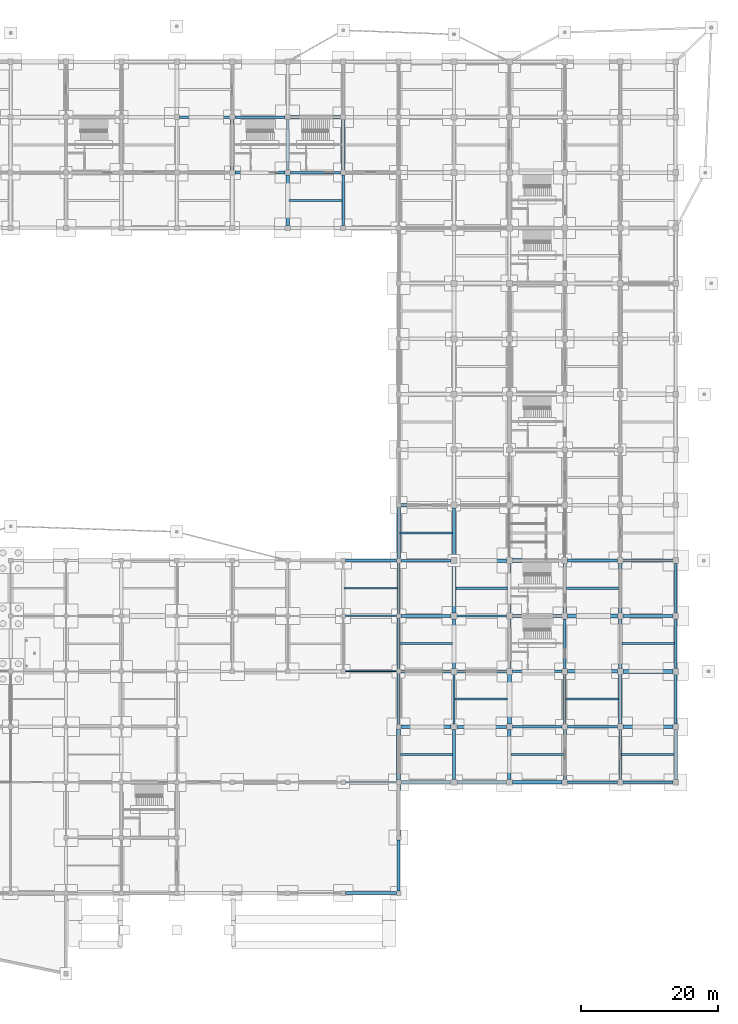
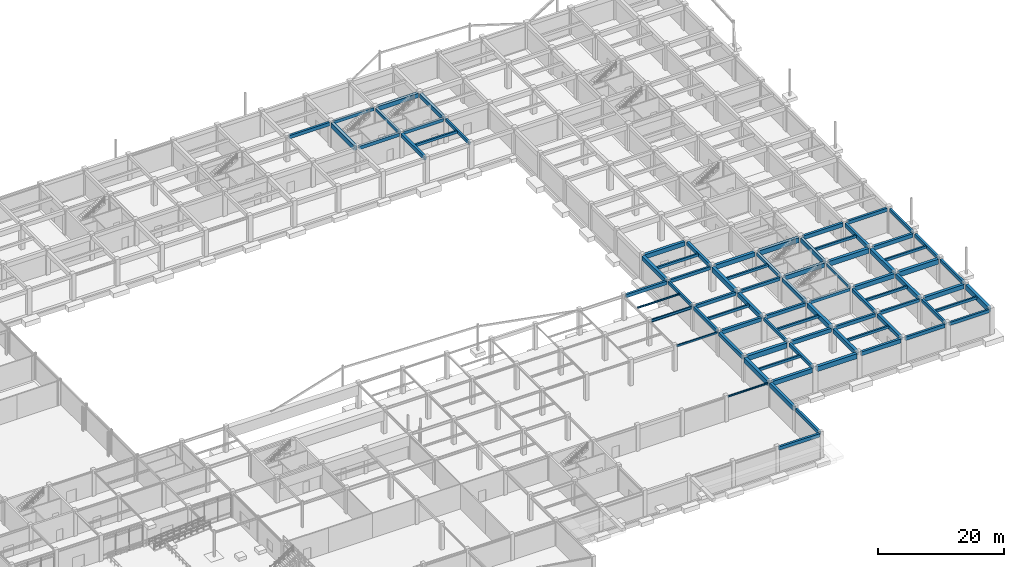
# One storey, part 40 of 67: 81 beams.
"""IFC4 building model written with IfcOpenShell, lengths in metres."""

from ifc_helpers import new_model, si_unit, direction, frame, origin, origin_2d, place, context, subcontext, project, spatial, rectangle, hollow_rectangle, i_section, extrude, material, material_profile, profile_set, type_object, element, save


model = new_model("IFC4")

# Units and contexts
model_context = context("Model", 3, precision=1e-05, world=origin(), true_north=direction((0.0, 1.0)))
body_context = subcontext(model_context, "Body", "Model", "MODEL_VIEW")
ifc_project = project(units=[si_unit("LENGTHUNIT", "METRE"), si_unit("AREAUNIT", "SQUARE_METRE"), si_unit("VOLUMEUNIT", "CUBIC_METRE"), si_unit("PLANEANGLEUNIT", "RADIAN"), si_unit("MASSUNIT", "GRAM", prefix="KILO")], contexts=[model_context])

# Site, building, storey
site_placement = place(None, origin())
site = spatial("IfcSite", under=ifc_project, at=site_placement, CompositionType="ELEMENT")
building_placement = place(site_placement, origin())
building = spatial("IfcBuilding", under=site, at=building_placement, Name="Vaudrelin Polytechnic", CompositionType="ELEMENT")
storey_placement = place(building_placement, frame((0.0, 0.0, -5.10009765625)))
storey = spatial("IfcBuildingStorey", under=building, at=storey_placement, Name="B1", CompositionType="ELEMENT", Elevation=-5.10009765625)

# Beams
ifc_material_1 = material(Name="Concrete 40 MPa", Category="concrete")
ifc_material_profile_1 = material_profile(ifc_material_1, rectangle(XDim=0.35009765625, YDim=0.60009765625, at=origin_2d()), Name="RC350x600")
ifc_profile_set_1 = profile_set([ifc_material_profile_1], Name="Concrete 40 MPa")
beam_type_1 = type_object("IfcBeamType", Name="BM-BM-RC3560", PredefinedType="BEAM", material=ifc_profile_set_1)
beam_1_placement = place(storey_placement, frame((121.5, 97.56005859375, 4.47998046875), z_axis=(0.0, 1.0, 0.0), x_axis=(-1.0, 0.0, 0.0)))
element("IfcBeam", 1, at=beam_1_placement, inside=storey, type_object=beam_type_1, Name="B1 Y-beam 16-13", PredefinedType="BEAM", context=body_context, shape_type="SweptSolid", body=[
    extrude(rectangle(XDim=0.35009765625, YDim=0.60009765625, at=origin_2d()), origin(), (0.0, 0.0, 1.0), 7.3798828125),
])
beam_2_placement = place(storey_placement, frame((129.60009765625, 40.81005859375, 4.47998046875), z_axis=(0.0, 1.0, 0.0), x_axis=(-1.0, 0.0, 0.0)))
element("IfcBeam", 2, at=beam_2_placement, inside=storey, type_object=beam_type_1, Name="B1 Y-beam 17-6", PredefinedType="BEAM", context=body_context, shape_type="SweptSolid", body=[
    extrude(rectangle(XDim=0.35009765625, YDim=0.60009765625, at=origin_2d()), origin(), (0.0, 0.0, 1.0), 7.47998046875),
])
for number, where, z_axis, x_axis, name in (
    (3, (137.699951171875, 24.7099609375, 4.47998046875), (0.0, 1.0, 0.0), (-1.0, 0.0, 0.0), "B1 Y-beam 18-4"),
    (4, (153.89990234375, 32.81005859375, 4.47998046875), (0.0, 1.0, 0.0), (-1.0, 0.0, 0.0), "B1 Y-beam 20-5"),
):
    element("IfcBeam", number, at=place(storey_placement, frame(where, z_axis=z_axis, x_axis=x_axis)), inside=storey, type_object=beam_type_1, Name=name, PredefinedType="BEAM", context=body_context, shape_type="SweptSolid", body=[
        extrude(rectangle(XDim=0.35009765625, YDim=0.60009765625, at=origin_2d()), origin(), (0.0, 0.0, 1.0), 7.280029296875),
    ])
beam_3_placement = place(storey_placement, frame((162.0, 16.610107421875, 4.47998046875), z_axis=(0.0, 1.0, 0.0), x_axis=(-1.0, 0.0, 0.0)))
element("IfcBeam", 5, at=beam_3_placement, inside=storey, type_object=beam_type_1, Name="B1 Y-beam 21-3", PredefinedType="BEAM", context=body_context, shape_type="SweptSolid", body=[
    extrude(rectangle(XDim=0.35009765625, YDim=0.60009765625, at=origin_2d()), origin(), (0.0, 0.0, 1.0), 7.27978515625),
])
beam_4_placement = place(storey_placement, frame((170.10009765625, 40.909912109375, 4.47998046875), z_axis=(0.0, 1.0, 0.0), x_axis=(-1.0, 0.0, 0.0)))
element("IfcBeam", 6, at=beam_4_placement, inside=storey, type_object=beam_type_1, Name="B1 Y-beam 22-6", PredefinedType="BEAM", context=body_context, shape_type="SweptSolid", body=[
    extrude(rectangle(XDim=0.35009765625, YDim=0.60009765625, at=origin_2d()), origin(), (0.0, 0.0, 1.0), 7.280029296875),
])
beam_5_placement = place(storey_placement, frame((105.6708984375, 113.39990234375, 4.47998046875), z_axis=(1.0, 0.0, 0.0), x_axis=(0.0, 1.0, 0.0)))
element("IfcBeam", 7, at=beam_5_placement, inside=storey, type_object=beam_type_1, Name="B1 X-beam 14-15", PredefinedType="BEAM", context=body_context, shape_type="SweptSolid", body=[
    extrude(rectangle(XDim=0.35009765625, YDim=0.60009765625, at=origin_2d()), origin(), (0.0, 0.0, 1.0), 7.358154296875),
])
beam_6_placement = place(storey_placement, frame((113.77099609375, 105.300048828125, 4.47998046875), z_axis=(1.0, 0.0, 0.0), x_axis=(0.0, 1.0, 0.0)))
element("IfcBeam", 8, at=beam_6_placement, inside=storey, type_object=beam_type_1, Name="B1 X-beam 15-14", PredefinedType="BEAM", context=body_context, shape_type="SweptSolid", body=[
    extrude(rectangle(XDim=0.35009765625, YDim=0.60009765625, at=origin_2d()), origin(), (0.0, 0.0, 1.0), 7.35791015625),
])
beam_7_placement = place(storey_placement, frame((129.9208984375, 48.60009765625, 4.47998046875), z_axis=(1.0, 0.0, 0.0), x_axis=(0.0, 1.0, 0.0)))
element("IfcBeam", 9, at=beam_7_placement, inside=storey, type_object=beam_type_1, Name="B1 X-beam 17-7", PredefinedType="BEAM", context=body_context, shape_type="SweptSolid", body=[
    extrude(rectangle(XDim=0.35009765625, YDim=0.60009765625, at=origin_2d()), origin(), (0.0, 0.0, 1.0), 7.358154296875),
])
beam_8_placement = place(storey_placement, frame((138.12109375, 40.5, 4.47998046875), z_axis=(1.0, 0.0, 0.0), x_axis=(0.0, 1.0, 0.0)))
element("IfcBeam", 10, at=beam_8_placement, inside=storey, type_object=beam_type_1, Name="B1 X-beam 18-6", PredefinedType="BEAM", context=body_context, shape_type="SweptSolid", body=[
    extrude(rectangle(XDim=0.35009765625, YDim=0.60009765625, at=origin_2d()), origin(), (0.0, 0.0, 1.0), 7.2578125),
])
for number, where, z_axis, x_axis, name in (
    (11, (146.220947265625, 32.39990234375, 4.47998046875), (1.0, 0.0, 0.0), (0.0, 1.0, 0.0), "B1 X-beam 19-5"),
    (12, (154.321044921875, 24.300048828125, 4.47998046875), (1.0, 0.0, 0.0), (0.0, 1.0, 0.0), "B1 X-beam 20-4"),
    (13, (162.4208984375, 16.199951171875, 4.47998046875), (1.0, 0.0, 0.0), (0.0, 1.0, 0.0), "B1 X-beam 21-3"),
):
    element("IfcBeam", number, at=place(storey_placement, frame(where, z_axis=z_axis, x_axis=x_axis)), inside=storey, type_object=beam_type_1, Name=name, PredefinedType="BEAM", context=body_context, shape_type="SweptSolid", body=[
        extrude(rectangle(XDim=0.35009765625, YDim=0.60009765625, at=origin_2d()), origin(), (0.0, 0.0, 1.0), 7.258056640625),
    ])
ifc_material_profile_2 = material_profile(ifc_material_1, rectangle(XDim=0.39990234375, YDim=0.64990234375, at=origin_2d()), Name="RC400x650")
ifc_profile_set_2 = profile_set([ifc_material_profile_2], Name="Concrete 40 MPa")
beam_type_2 = type_object("IfcBeamType", Name="BM-BM-RC4065", PredefinedType="BEAM", material=ifc_profile_set_2)
beam_9_placement = place(storey_placement, frame((113.39990234375, 105.659912109375, 4.455078125), z_axis=(0.0, 1.0, 0.0), x_axis=(-1.0, 0.0, 0.0)))
element("IfcBeam", 14, at=beam_9_placement, inside=storey, type_object=beam_type_2, Name="B1 Y-beam 15-14", PredefinedType="BEAM", context=body_context, shape_type="SweptSolid", body=[
    extrude(rectangle(XDim=0.39990234375, YDim=0.64990234375, at=origin_2d()), origin(), (0.0, 0.0, 1.0), 7.380126953125),
])
beam_10_placement = place(storey_placement, frame((129.60009765625, 32.7099609375, 4.455078125), z_axis=(0.0, 1.0, 0.0), x_axis=(-1.0, 0.0, 0.0)))
element("IfcBeam", 15, at=beam_10_placement, inside=storey, type_object=beam_type_2, Name="B1 Y-beam 17-5", PredefinedType="BEAM", context=body_context, shape_type="SweptSolid", body=[
    extrude(rectangle(XDim=0.39990234375, YDim=0.64990234375, at=origin_2d()), origin(), (0.0, 0.0, 1.0), 7.47998046875),
])
beam_11_placement = place(storey_placement, frame((137.699951171875, 16.610107421875, 4.455078125), z_axis=(0.0, 1.0, 0.0), x_axis=(-1.0, 0.0, 0.0)))
element("IfcBeam", 16, at=beam_11_placement, inside=storey, type_object=beam_type_2, Name="B1 Y-beam 18-3", PredefinedType="BEAM", context=body_context, shape_type="SweptSolid", body=[
    extrude(rectangle(XDim=0.39990234375, YDim=0.64990234375, at=origin_2d()), origin(), (0.0, 0.0, 1.0), 7.27978515625),
])
for number, where, z_axis, x_axis, name in (
    (17, (145.800048828125, 40.909912109375, 4.455078125), (0.0, 1.0, 0.0), (-1.0, 0.0, 0.0), "B1 Y-beam 19-6"),
    (18, (153.89990234375, 24.7099609375, 4.455078125), (0.0, 1.0, 0.0), (-1.0, 0.0, 0.0), "B1 Y-beam 20-4"),
    (19, (170.10009765625, 32.81005859375, 4.455078125), (0.0, 1.0, 0.0), (-1.0, 0.0, 0.0), "B1 Y-beam 22-5"),
):
    element("IfcBeam", number, at=place(storey_placement, frame(where, z_axis=z_axis, x_axis=x_axis)), inside=storey, type_object=beam_type_2, Name=name, PredefinedType="BEAM", context=body_context, shape_type="SweptSolid", body=[
        extrude(rectangle(XDim=0.39990234375, YDim=0.64990234375, at=origin_2d()), origin(), (0.0, 0.0, 1.0), 7.280029296875),
    ])
beam_12_placement = place(storey_placement, frame((97.571044921875, 113.39990234375, 4.455078125), z_axis=(1.0, 0.0, 0.0), x_axis=(0.0, 1.0, 0.0)))
element("IfcBeam", 20, at=beam_12_placement, inside=storey, type_object=beam_type_2, Name="B1 X-beam 13-15", PredefinedType="BEAM", context=body_context, shape_type="SweptSolid", body=[
    extrude(rectangle(XDim=0.39990234375, YDim=0.64990234375, at=origin_2d()), origin(), (0.0, 0.0, 1.0), 7.35791015625),
])
for number, where, z_axis, x_axis, name in (
    (21, (105.6708984375, 105.300048828125, 4.455078125), (1.0, 0.0, 0.0), (0.0, 1.0, 0.0), "B1 X-beam 14-14"),
    (22, (129.9208984375, 40.5, 4.455078125), (1.0, 0.0, 0.0), (0.0, 1.0, 0.0), "B1 X-beam 17-6"),
):
    element("IfcBeam", number, at=place(storey_placement, frame(where, z_axis=z_axis, x_axis=x_axis)), inside=storey, type_object=beam_type_2, Name=name, PredefinedType="BEAM", context=body_context, shape_type="SweptSolid", body=[
        extrude(rectangle(XDim=0.39990234375, YDim=0.64990234375, at=origin_2d()), origin(), (0.0, 0.0, 1.0), 7.358154296875),
    ])
beam_13_placement = place(storey_placement, frame((138.12109375, 32.39990234375, 4.455078125), z_axis=(1.0, 0.0, 0.0), x_axis=(0.0, 1.0, 0.0)))
element("IfcBeam", 23, at=beam_13_placement, inside=storey, type_object=beam_type_2, Name="B1 X-beam 18-5", PredefinedType="BEAM", context=body_context, shape_type="SweptSolid", body=[
    extrude(rectangle(XDim=0.39990234375, YDim=0.64990234375, at=origin_2d()), origin(), (0.0, 0.0, 1.0), 7.2578125),
])
for number, where, z_axis, x_axis, name in (
    (24, (146.220947265625, 24.300048828125, 4.455078125), (1.0, 0.0, 0.0), (0.0, 1.0, 0.0), "B1 X-beam 19-4"),
    (25, (162.4208984375, 48.60009765625, 4.455078125), (1.0, 0.0, 0.0), (0.0, 1.0, 0.0), "B1 X-beam 21-7"),
):
    element("IfcBeam", number, at=place(storey_placement, frame(where, z_axis=z_axis, x_axis=x_axis)), inside=storey, type_object=beam_type_2, Name=name, PredefinedType="BEAM", context=body_context, shape_type="SweptSolid", body=[
        extrude(rectangle(XDim=0.39990234375, YDim=0.64990234375, at=origin_2d()), origin(), (0.0, 0.0, 1.0), 7.258056640625),
    ])
ifc_material_profile_3 = material_profile(ifc_material_1, rectangle(XDim=0.449951171875, YDim=0.75, at=origin_2d()), Name="RC450x750")
ifc_profile_set_3 = profile_set([ifc_material_profile_3], Name="Concrete 40 MPa")
beam_type_3 = type_object("IfcBeamType", Name="BM-BM-RC4575", PredefinedType="BEAM", material=ifc_profile_set_3)
beam_14_placement = place(storey_placement, frame((113.39990234375, 97.56005859375, 4.405029296875), z_axis=(0.0, 1.0, 0.0), x_axis=(-1.0, 0.0, 0.0)))
element("IfcBeam", 26, at=beam_14_placement, inside=storey, type_object=beam_type_3, Name="B1 Y-beam 15-13", PredefinedType="BEAM", context=body_context, shape_type="SweptSolid", body=[
    extrude(rectangle(XDim=0.449951171875, YDim=0.75, at=origin_2d()), origin(), (0.0, 0.0, 1.0), 7.3798828125),
])
beam_15_placement = place(storey_placement, frame((129.60009765625, 24.610107421875, 4.364990234375), z_axis=(0.0, 1.0, 0.0), x_axis=(-1.0, 0.0, 0.0)))
element("IfcBeam", 27, at=beam_15_placement, inside=storey, type_object=beam_type_3, Name="B1 Y-beam 17-4", PredefinedType="BEAM", context=body_context, shape_type="SweptSolid", body=[
    extrude(rectangle(XDim=0.449951171875, YDim=0.75, at=origin_2d()), origin(), (0.0, 0.0, 1.0), 7.47998046875),
])
for number, where, z_axis, x_axis, name in (
    (28, (137.699951171875, 49.010009765625, 4.405029296875), (0.0, 1.0, 0.0), (-1.0, 0.0, 0.0), "B1 Y-beam 18-7"),
    (29, (145.800048828125, 32.81005859375, 4.405029296875), (0.0, 1.0, 0.0), (-1.0, 0.0, 0.0), "B1 Y-beam 19-5"),
):
    element("IfcBeam", number, at=place(storey_placement, frame(where, z_axis=z_axis, x_axis=x_axis)), inside=storey, type_object=beam_type_3, Name=name, PredefinedType="BEAM", context=body_context, shape_type="SweptSolid", body=[
        extrude(rectangle(XDim=0.449951171875, YDim=0.75, at=origin_2d()), origin(), (0.0, 0.0, 1.0), 7.280029296875),
    ])
beam_16_placement = place(storey_placement, frame((153.89990234375, 16.610107421875, 4.405029296875), z_axis=(0.0, 1.0, 0.0), x_axis=(-1.0, 0.0, 0.0)))
element("IfcBeam", 30, at=beam_16_placement, inside=storey, type_object=beam_type_3, Name="B1 Y-beam 20-3", PredefinedType="BEAM", context=body_context, shape_type="SweptSolid", body=[
    extrude(rectangle(XDim=0.449951171875, YDim=0.75, at=origin_2d()), origin(), (0.0, 0.0, 1.0), 7.27978515625),
])
beam_17_placement = place(storey_placement, frame((162.0, 40.909912109375, 4.405029296875), z_axis=(0.0, 1.0, 0.0), x_axis=(-1.0, 0.0, 0.0)))
element("IfcBeam", 31, at=beam_17_placement, inside=storey, type_object=beam_type_3, Name="B1 Y-beam 21-6", PredefinedType="BEAM", context=body_context, shape_type="SweptSolid", body=[
    extrude(rectangle(XDim=0.449951171875, YDim=0.75, at=origin_2d()), origin(), (0.0, 0.0, 1.0), 7.280029296875),
])
beam_18_placement = place(storey_placement, frame((129.9208984375, 32.39990234375, 4.405029296875), z_axis=(1.0, 0.0, 0.0), x_axis=(0.0, 1.0, 0.0)))
element("IfcBeam", 32, at=beam_18_placement, inside=storey, type_object=beam_type_3, Name="B1 X-beam 17-5", PredefinedType="BEAM", context=body_context, shape_type="SweptSolid", body=[
    extrude(rectangle(XDim=0.449951171875, YDim=0.75, at=origin_2d()), origin(), (0.0, 0.0, 1.0), 7.358154296875),
])
beam_19_placement = place(storey_placement, frame((138.12109375, 24.300048828125, 4.405029296875), z_axis=(1.0, 0.0, 0.0), x_axis=(0.0, 1.0, 0.0)))
element("IfcBeam", 33, at=beam_19_placement, inside=storey, type_object=beam_type_3, Name="B1 X-beam 18-4", PredefinedType="BEAM", context=body_context, shape_type="SweptSolid", body=[
    extrude(rectangle(XDim=0.449951171875, YDim=0.75, at=origin_2d()), origin(), (0.0, 0.0, 1.0), 7.2578125),
])
for number, where, z_axis, x_axis, name in (
    (34, (146.220947265625, 16.199951171875, 4.405029296875), (1.0, 0.0, 0.0), (0.0, 1.0, 0.0), "B1 X-beam 19-3"),
    (35, (154.321044921875, 48.60009765625, 4.405029296875), (1.0, 0.0, 0.0), (0.0, 1.0, 0.0), "B1 X-beam 20-7"),
    (36, (162.4208984375, 40.5, 4.405029296875), (1.0, 0.0, 0.0), (0.0, 1.0, 0.0), "B1 X-beam 21-6"),
):
    element("IfcBeam", number, at=place(storey_placement, frame(where, z_axis=z_axis, x_axis=x_axis)), inside=storey, type_object=beam_type_3, Name=name, PredefinedType="BEAM", context=body_context, shape_type="SweptSolid", body=[
        extrude(rectangle(XDim=0.449951171875, YDim=0.75, at=origin_2d()), origin(), (0.0, 0.0, 1.0), 7.258056640625),
    ])
ifc_material_profile_4 = material_profile(ifc_material_1, rectangle(XDim=0.5, YDim=0.85009765625, at=origin_2d()), Name="RC500x850")
ifc_profile_set_4 = profile_set([ifc_material_profile_4], Name="Concrete 40 MPa")
beam_type_4 = type_object("IfcBeamType", Name="BM-BM-RC5085", PredefinedType="BEAM", material=ifc_profile_set_4)
beam_20_placement = place(storey_placement, frame((121.5, 105.659912109375, 4.35498046875), z_axis=(0.0, 1.0, 0.0), x_axis=(-1.0, 0.0, 0.0)))
element("IfcBeam", 37, at=beam_20_placement, inside=storey, type_object=beam_type_4, Name="B1 Y-beam 16-14", PredefinedType="BEAM", context=body_context, shape_type="SweptSolid", body=[
    extrude(rectangle(XDim=0.5, YDim=0.85009765625, at=origin_2d()), origin(), (0.0, 0.0, 1.0), 7.380126953125),
])
for number, where, z_axis, x_axis, name in (
    (38, (129.60009765625, 8.409912109375, 4.315185546875), (0.0, 1.0, 0.0), (-1.0, 0.0, 0.0), "B1 Y-beam 17-2"),
    (39, (129.60009765625, 48.909912109375, 4.35498046875), (0.0, 1.0, 0.0), (-1.0, 0.0, 0.0), "B1 Y-beam 17-7"),
):
    element("IfcBeam", number, at=place(storey_placement, frame(where, z_axis=z_axis, x_axis=x_axis)), inside=storey, type_object=beam_type_4, Name=name, PredefinedType="BEAM", context=body_context, shape_type="SweptSolid", body=[
        extrude(rectangle(XDim=0.5, YDim=0.85009765625, at=origin_2d()), origin(), (0.0, 0.0, 1.0), 7.47998046875),
    ])
beam_21_placement = place(storey_placement, frame((137.699951171875, 32.81005859375, 4.35498046875), z_axis=(0.0, 1.0, 0.0), x_axis=(-1.0, 0.0, 0.0)))
element("IfcBeam", 40, at=beam_21_placement, inside=storey, type_object=beam_type_4, Name="B1 Y-beam 18-5", PredefinedType="BEAM", context=body_context, shape_type="SweptSolid", body=[
    extrude(rectangle(XDim=0.5, YDim=0.85009765625, at=origin_2d()), origin(), (0.0, 0.0, 1.0), 7.280029296875),
])
beam_22_placement = place(storey_placement, frame((145.800048828125, 16.610107421875, 4.35498046875), z_axis=(0.0, 1.0, 0.0), x_axis=(-1.0, 0.0, 0.0)))
element("IfcBeam", 41, at=beam_22_placement, inside=storey, type_object=beam_type_4, Name="B1 Y-beam 19-3", PredefinedType="BEAM", context=body_context, shape_type="SweptSolid", body=[
    extrude(rectangle(XDim=0.5, YDim=0.85009765625, at=origin_2d()), origin(), (0.0, 0.0, 1.0), 7.27978515625),
])
for number, where, z_axis, x_axis, name in (
    (42, (153.89990234375, 40.909912109375, 4.35498046875), (0.0, 1.0, 0.0), (-1.0, 0.0, 0.0), "B1 Y-beam 20-6"),
    (43, (162.0, 24.7099609375, 4.35498046875), (0.0, 1.0, 0.0), (-1.0, 0.0, 0.0), "B1 Y-beam 21-4"),
):
    element("IfcBeam", number, at=place(storey_placement, frame(where, z_axis=z_axis, x_axis=x_axis)), inside=storey, type_object=beam_type_4, Name=name, PredefinedType="BEAM", context=body_context, shape_type="SweptSolid", body=[
        extrude(rectangle(XDim=0.5, YDim=0.85009765625, at=origin_2d()), origin(), (0.0, 0.0, 1.0), 7.280029296875),
    ])
beam_23_placement = place(storey_placement, frame((113.77099609375, 113.39990234375, 4.35498046875), z_axis=(1.0, 0.0, 0.0), x_axis=(0.0, 1.0, 0.0)))
element("IfcBeam", 44, at=beam_23_placement, inside=storey, type_object=beam_type_4, Name="B1 X-beam 15-15", PredefinedType="BEAM", context=body_context, shape_type="SweptSolid", body=[
    extrude(rectangle(XDim=0.5, YDim=0.85009765625, at=origin_2d()), origin(), (0.0, 0.0, 1.0), 7.35791015625),
])
for number, where, z_axis, x_axis, name in (
    (45, (129.9208984375, 16.199951171875, 4.35498046875), (1.0, 0.0, 0.0), (0.0, 1.0, 0.0), "B1 X-beam 17-3"),
    (46, (129.9208984375, 56.699951171875, 4.35498046875), (1.0, 0.0, 0.0), (0.0, 1.0, 0.0), "B1 X-beam 17-8"),
):
    element("IfcBeam", number, at=place(storey_placement, frame(where, z_axis=z_axis, x_axis=x_axis)), inside=storey, type_object=beam_type_4, Name=name, PredefinedType="BEAM", context=body_context, shape_type="SweptSolid", body=[
        extrude(rectangle(XDim=0.5, YDim=0.85009765625, at=origin_2d()), origin(), (0.0, 0.0, 1.0), 7.358154296875),
    ])
beam_24_placement = place(storey_placement, frame((138.12109375, 48.60009765625, 4.35498046875), z_axis=(1.0, 0.0, 0.0), x_axis=(0.0, 1.0, 0.0)))
element("IfcBeam", 47, at=beam_24_placement, inside=storey, type_object=beam_type_4, Name="B1 X-beam 18-7", PredefinedType="BEAM", context=body_context, shape_type="SweptSolid", body=[
    extrude(rectangle(XDim=0.5, YDim=0.85009765625, at=origin_2d()), origin(), (0.0, 0.0, 1.0), 7.2578125),
])
for number, where, z_axis, x_axis, name in (
    (48, (146.220947265625, 40.5, 4.35498046875), (1.0, 0.0, 0.0), (0.0, 1.0, 0.0), "B1 X-beam 19-6"),
    (49, (154.321044921875, 32.39990234375, 4.35498046875), (1.0, 0.0, 0.0), (0.0, 1.0, 0.0), "B1 X-beam 20-5"),
    (50, (162.4208984375, 24.300048828125, 4.35498046875), (1.0, 0.0, 0.0), (0.0, 1.0, 0.0), "B1 X-beam 21-4"),
):
    element("IfcBeam", number, at=place(storey_placement, frame(where, z_axis=z_axis, x_axis=x_axis)), inside=storey, type_object=beam_type_4, Name=name, PredefinedType="BEAM", context=body_context, shape_type="SweptSolid", body=[
        extrude(rectangle(XDim=0.5, YDim=0.85009765625, at=origin_2d()), origin(), (0.0, 0.0, 1.0), 7.258056640625),
    ])
ifc_material_2 = material(Name="Concrete 50 MPa", Category="concrete")
ifc_material_profile_5 = material_profile(ifc_material_2, rectangle(XDim=0.550048828125, YDim=0.949951171875, at=origin_2d()), Name="RC550x950")
ifc_profile_set_5 = profile_set([ifc_material_profile_5], Name="Concrete 50 MPa")
beam_type_5 = type_object("IfcBeamType", Name="BM-BM-RC5595", PredefinedType="BEAM", material=ifc_profile_set_5)
beam_25_placement = place(storey_placement, frame((105.300048828125, 105.659912109375, 4.30517578125), z_axis=(0.0, 1.0, 0.0), x_axis=(-1.0, 0.0, 0.0)))
element("IfcBeam", 51, at=beam_25_placement, inside=storey, type_object=beam_type_5, Name="B1 Y-beam 14-14", PredefinedType="BEAM", context=body_context, shape_type="SweptSolid", body=[
    extrude(rectangle(XDim=0.550048828125, YDim=0.949951171875, at=origin_2d()), origin(), (0.0, 0.0, 1.0), 7.380126953125),
])
beam_26_placement = place(storey_placement, frame((129.60009765625, 16.510009765625, 4.26513671875), z_axis=(0.0, 1.0, 0.0), x_axis=(-1.0, 0.0, 0.0)))
element("IfcBeam", 52, at=beam_26_placement, inside=storey, type_object=beam_type_5, Name="B1 Y-beam 17-3", PredefinedType="BEAM", context=body_context, shape_type="SweptSolid", body=[
    extrude(rectangle(XDim=0.550048828125, YDim=0.949951171875, at=origin_2d()), origin(), (0.0, 0.0, 1.0), 7.47998046875),
])
for number, where, z_axis, x_axis, name in (
    (53, (137.699951171875, 40.909912109375, 4.30517578125), (0.0, 1.0, 0.0), (-1.0, 0.0, 0.0), "B1 Y-beam 18-6"),
    (54, (145.800048828125, 24.7099609375, 4.30517578125), (0.0, 1.0, 0.0), (-1.0, 0.0, 0.0), "B1 Y-beam 19-4"),
    (55, (162.0, 32.81005859375, 4.30517578125), (0.0, 1.0, 0.0), (-1.0, 0.0, 0.0), "B1 Y-beam 21-5"),
):
    element("IfcBeam", number, at=place(storey_placement, frame(where, z_axis=z_axis, x_axis=x_axis)), inside=storey, type_object=beam_type_5, Name=name, PredefinedType="BEAM", context=body_context, shape_type="SweptSolid", body=[
        extrude(rectangle(XDim=0.550048828125, YDim=0.949951171875, at=origin_2d()), origin(), (0.0, 0.0, 1.0), 7.280029296875),
    ])
beam_27_placement = place(storey_placement, frame((170.10009765625, 16.610107421875, 4.30517578125), z_axis=(0.0, 1.0, 0.0), x_axis=(-1.0, 0.0, 0.0)))
element("IfcBeam", 56, at=beam_27_placement, inside=storey, type_object=beam_type_5, Name="B1 Y-beam 22-3", PredefinedType="BEAM", context=body_context, shape_type="SweptSolid", body=[
    extrude(rectangle(XDim=0.550048828125, YDim=0.949951171875, at=origin_2d()), origin(), (0.0, 0.0, 1.0), 7.27978515625),
])
beam_28_placement = place(storey_placement, frame((129.9208984375, 24.300048828125, 4.30517578125), z_axis=(1.0, 0.0, 0.0), x_axis=(0.0, 1.0, 0.0)))
element("IfcBeam", 57, at=beam_28_placement, inside=storey, type_object=beam_type_5, Name="B1 X-beam 17-4", PredefinedType="BEAM", context=body_context, shape_type="SweptSolid", body=[
    extrude(rectangle(XDim=0.550048828125, YDim=0.949951171875, at=origin_2d()), origin(), (0.0, 0.0, 1.0), 7.358154296875),
])
beam_29_placement = place(storey_placement, frame((138.12109375, 16.199951171875, 4.30517578125), z_axis=(1.0, 0.0, 0.0), x_axis=(0.0, 1.0, 0.0)))
element("IfcBeam", 58, at=beam_29_placement, inside=storey, type_object=beam_type_5, Name="B1 X-beam 18-3", PredefinedType="BEAM", context=body_context, shape_type="SweptSolid", body=[
    extrude(rectangle(XDim=0.550048828125, YDim=0.949951171875, at=origin_2d()), origin(), (0.0, 0.0, 1.0), 7.2578125),
])
for number, where, z_axis, x_axis, name in (
    (59, (146.220947265625, 48.60009765625, 4.30517578125), (1.0, 0.0, 0.0), (0.0, 1.0, 0.0), "B1 X-beam 19-7"),
    (60, (154.321044921875, 40.5, 4.30517578125), (1.0, 0.0, 0.0), (0.0, 1.0, 0.0), "B1 X-beam 20-6"),
    (61, (162.4208984375, 32.39990234375, 4.30517578125), (1.0, 0.0, 0.0), (0.0, 1.0, 0.0), "B1 X-beam 21-5"),
):
    element("IfcBeam", number, at=place(storey_placement, frame(where, z_axis=z_axis, x_axis=x_axis)), inside=storey, type_object=beam_type_5, Name=name, PredefinedType="BEAM", context=body_context, shape_type="SweptSolid", body=[
        extrude(rectangle(XDim=0.550048828125, YDim=0.949951171875, at=origin_2d()), origin(), (0.0, 0.0, 1.0), 7.258056640625),
    ])
ifc_material_3 = material(Name="Steel CSA G40.21 350W", Category="steel")
ifc_material_profile_6 = material_profile(ifc_material_3, i_section(OverallWidth=0.214111328125, OverallDepth=0.549072265625, WebThickness=0.0146484375, FlangeThickness=0.023681640625, FilletRadius=0.01904296875, at=origin_2d()), Name="W530x138")
ifc_profile_set_6 = profile_set([ifc_material_profile_6], Name="Steel CSA G40.21 350W")
beam_type_6 = type_object("IfcBeamType", Name="BM-BM-W530H", PredefinedType="BEAM", material=ifc_profile_set_6)
beam_30_placement = place(storey_placement, frame((121.821044921875, 40.5, 4.505615234375), z_axis=(1.0, 0.0, 0.0), x_axis=(0.0, 1.0, 0.0)))
element("IfcBeam", 62, at=beam_30_placement, inside=storey, type_object=beam_type_6, Name="B1 X-beam 16-6", PredefinedType="BEAM", context=body_context, shape_type="SweptSolid", body=[
    extrude(i_section(OverallWidth=0.214111328125, OverallDepth=0.549072265625, WebThickness=0.0146484375, FlangeThickness=0.023681640625, FilletRadius=0.01904296875, at=origin_2d()), origin(), (0.0, 0.0, 1.0), 7.4580078125),
])
ifc_material_profile_7 = material_profile(ifc_material_1, rectangle(XDim=0.300048828125, YDim=0.5, at=origin_2d()), Name="RC300x500")
ifc_profile_set_7 = profile_set([ifc_material_profile_7], Name="Concrete 40 MPa")
beam_type_7 = type_object("IfcBeamType", Name="BM-JS-RC3050", PredefinedType="JOIST", material=ifc_profile_set_7)
beam_31_placement = place(storey_placement, frame((113.62109375, 101.25, 4.530029296875), z_axis=(1.0, 0.0, 0.0), x_axis=(0.0, 1.0, 0.0)))
element("IfcBeam", 63, at=beam_31_placement, inside=storey, type_object=beam_type_7, Name="B1 floor joist 15-13", PredefinedType="JOIST", context=body_context, shape_type="SweptSolid", body=[
    extrude(rectangle(XDim=0.300048828125, YDim=0.5, at=origin_2d()), origin(), (0.0, 0.0, 1.0), 7.7080078125),
])
beam_32_placement = place(storey_placement, frame((129.87109375, 20.25, 4.530029296875), z_axis=(1.0, 0.0, 0.0), x_axis=(0.0, 1.0, 0.0)))
element("IfcBeam", 64, at=beam_32_placement, inside=storey, type_object=beam_type_7, Name="B1 floor joist 17-3", PredefinedType="JOIST", context=body_context, shape_type="SweptSolid", body=[
    extrude(rectangle(XDim=0.300048828125, YDim=0.5, at=origin_2d()), origin(), (0.0, 0.0, 1.0), 7.6328125),
])
beam_33_placement = place(storey_placement, frame((129.7958984375, 36.449951171875, 4.530029296875), z_axis=(1.0, 0.0, 0.0), x_axis=(0.0, 1.0, 0.0)))
element("IfcBeam", 65, at=beam_33_placement, inside=storey, type_object=beam_type_7, Name="B1 floor joist 17-5", PredefinedType="JOIST", context=body_context, shape_type="SweptSolid", body=[
    extrude(rectangle(XDim=0.300048828125, YDim=0.5, at=origin_2d()), origin(), (0.0, 0.0, 1.0), 7.658203125),
])
beam_34_placement = place(storey_placement, frame((129.845947265625, 52.64990234375, 4.530029296875), z_axis=(1.0, 0.0, 0.0), x_axis=(0.0, 1.0, 0.0)))
element("IfcBeam", 66, at=beam_34_placement, inside=storey, type_object=beam_type_7, Name="B1 floor joist 17-7", PredefinedType="JOIST", context=body_context, shape_type="SweptSolid", body=[
    extrude(rectangle(XDim=0.300048828125, YDim=0.5, at=origin_2d()), origin(), (0.0, 0.0, 1.0), 7.633056640625),
])
beam_35_placement = place(storey_placement, frame((137.87109375, 28.35009765625, 4.530029296875), z_axis=(1.0, 0.0, 0.0), x_axis=(0.0, 1.0, 0.0)))
element("IfcBeam", 67, at=beam_35_placement, inside=storey, type_object=beam_type_7, Name="B1 floor joist 18-4", PredefinedType="JOIST", context=body_context, shape_type="SweptSolid", body=[
    extrude(rectangle(XDim=0.300048828125, YDim=0.5, at=origin_2d()), origin(), (0.0, 0.0, 1.0), 7.657958984375),
])
for number, where, z_axis, x_axis, name in (
    (68, (137.970947265625, 44.550048828125, 4.530029296875), (1.0, 0.0, 0.0), (0.0, 1.0, 0.0), "B1 floor joist 18-6"),
    (69, (146.0458984375, 20.25, 4.530029296875), (1.0, 0.0, 0.0), (0.0, 1.0, 0.0), "B1 floor joist 19-3"),
):
    element("IfcBeam", number, at=place(storey_placement, frame(where, z_axis=z_axis, x_axis=x_axis)), inside=storey, type_object=beam_type_7, Name=name, PredefinedType="JOIST", context=body_context, shape_type="SweptSolid", body=[
        extrude(rectangle(XDim=0.300048828125, YDim=0.5, at=origin_2d()), origin(), (0.0, 0.0, 1.0), 7.633056640625),
    ])
beam_36_placement = place(storey_placement, frame((154.095947265625, 28.35009765625, 4.530029296875), z_axis=(1.0, 0.0, 0.0), x_axis=(0.0, 1.0, 0.0)))
element("IfcBeam", 70, at=beam_36_placement, inside=storey, type_object=beam_type_7, Name="B1 floor joist 20-4", PredefinedType="JOIST", context=body_context, shape_type="SweptSolid", body=[
    extrude(rectangle(XDim=0.300048828125, YDim=0.5, at=origin_2d()), origin(), (0.0, 0.0, 1.0), 7.657958984375),
])
beam_37_placement = place(storey_placement, frame((154.14599609375, 44.550048828125, 4.530029296875), z_axis=(1.0, 0.0, 0.0), x_axis=(0.0, 1.0, 0.0)))
element("IfcBeam", 71, at=beam_37_placement, inside=storey, type_object=beam_type_7, Name="B1 floor joist 20-6", PredefinedType="JOIST", context=body_context, shape_type="SweptSolid", body=[
    extrude(rectangle(XDim=0.300048828125, YDim=0.5, at=origin_2d()), origin(), (0.0, 0.0, 1.0), 7.633056640625),
])
beam_38_placement = place(storey_placement, frame((162.1708984375, 20.25, 4.530029296875), z_axis=(1.0, 0.0, 0.0), x_axis=(0.0, 1.0, 0.0)))
element("IfcBeam", 72, at=beam_38_placement, inside=storey, type_object=beam_type_7, Name="B1 floor joist 21-3", PredefinedType="JOIST", context=body_context, shape_type="SweptSolid", body=[
    extrude(rectangle(XDim=0.300048828125, YDim=0.5, at=origin_2d()), origin(), (0.0, 0.0, 1.0), 7.658203125),
])
beam_39_placement = place(storey_placement, frame((162.27099609375, 36.449951171875, 4.530029296875), z_axis=(1.0, 0.0, 0.0), x_axis=(0.0, 1.0, 0.0)))
element("IfcBeam", 73, at=beam_39_placement, inside=storey, type_object=beam_type_7, Name="B1 floor joist 21-5", PredefinedType="JOIST", context=body_context, shape_type="SweptSolid", body=[
    extrude(rectangle(XDim=0.300048828125, YDim=0.5, at=origin_2d()), origin(), (0.0, 0.0, 1.0), 7.633056640625),
])
ifc_material_profile_8 = material_profile(ifc_material_3, i_section(OverallWidth=0.1669921875, OverallDepth=0.31689453125, WebThickness=0.007568359375, FlangeThickness=0.01318359375, FilletRadius=0.013916015625, at=origin_2d()), Name="W310x52")
ifc_profile_set_8 = profile_set([ifc_material_profile_8], Name="Steel CSA G40.21 350W")
beam_type_8 = type_object("IfcBeamType", Name="BM-JS-W310", PredefinedType="JOIST", material=ifc_profile_set_8)
beam_40_placement = place(storey_placement, frame((121.821044921875, 16.199951171875, 4.58154296875), z_axis=(1.0, 0.0, 0.0), x_axis=(0.0, 1.0, 0.0)))
element("IfcBeam", 74, at=beam_40_placement, inside=storey, type_object=beam_type_8, Name="B1 X-beam 16-3", PredefinedType="JOIST", context=body_context, shape_type="SweptSolid", body=[
    extrude(i_section(OverallWidth=0.1669921875, OverallDepth=0.31689453125, WebThickness=0.007568359375, FlangeThickness=0.01318359375, FilletRadius=0.013916015625, at=origin_2d()), origin(), (0.0, 0.0, 1.0), 7.4580078125),
])
beam_41_placement = place(storey_placement, frame((121.60302734375, 44.550048828125, 4.62158203125), z_axis=(1.0, 0.0, 0.0), x_axis=(0.0, 1.0, 0.0)))
element("IfcBeam", 75, at=beam_41_placement, inside=storey, type_object=beam_type_8, Name="B1 floor joist 16-6", PredefinedType="JOIST", context=body_context, shape_type="SweptSolid", body=[
    extrude(i_section(OverallWidth=0.1669921875, OverallDepth=0.31689453125, WebThickness=0.007568359375, FlangeThickness=0.01318359375, FilletRadius=0.013916015625, at=origin_2d()), origin(), (0.0, 0.0, 1.0), 7.825927734375),
])
ifc_material_4 = material(Name="Steel CSA G40.21 350WT", Category="steel")
ifc_material_profile_9 = material_profile(ifc_material_4, hollow_rectangle(XDim=0.202880859375, YDim=0.35595703125, WallThickness=0.0126953125, InnerFilletRadius=0.0126953125, OuterFilletRadius=0.025390625, at=origin_2d()), Name="HSS356x203x12.7")
ifc_profile_set_9 = profile_set([ifc_material_profile_9], Name="Steel CSA G40.21 350WT")
beam_type_9 = type_object("IfcBeamType", Name="BM-SP-HSS35", PredefinedType="SPANDREL", material=ifc_profile_set_9)
beam_42_placement = place(storey_placement, frame((121.821044921875, 32.39990234375, 4.56201171875), z_axis=(1.0, 0.0, 0.0), x_axis=(0.0, 1.0, 0.0)))
element("IfcBeam", 76, at=beam_42_placement, inside=storey, type_object=beam_type_9, Name="B1 X-beam 16-5", PredefinedType="SPANDREL", context=body_context, shape_type="SweptSolid", body=[
    extrude(hollow_rectangle(XDim=0.202880859375, YDim=0.35595703125, WallThickness=0.0126953125, InnerFilletRadius=0.0126953125, OuterFilletRadius=0.025390625, at=origin_2d()), origin(), (0.0, 0.0, 1.0), 7.4580078125),
])
ifc_material_profile_10 = material_profile(ifc_material_1, rectangle(XDim=0.39990234375, YDim=0.64990234375, at=origin_2d()), Name="RC400x650")
ifc_profile_set_10 = profile_set([ifc_material_profile_10], Name="Concrete 40 MPa")
beam_type_10 = type_object("IfcBeamType", Name="BM-SP-RC4065", PredefinedType="SPANDREL", material=ifc_profile_set_10)
beam_43_placement = place(storey_placement, frame((129.60009765625, 0.31005859375, 4.4150390625), z_axis=(0.0, 1.0, 0.0), x_axis=(-1.0, 0.0, 0.0)))
element("IfcBeam", 77, at=beam_43_placement, inside=storey, type_object=beam_type_10, Name="B1 Y-beam 17-1", PredefinedType="SPANDREL", context=body_context, shape_type="SweptSolid", body=[
    extrude(rectangle(XDim=0.39990234375, YDim=0.64990234375, at=origin_2d()), origin(), (0.0, 0.0, 1.0), 7.47998046875),
])
beam_44_placement = place(storey_placement, frame((170.10009765625, 24.7099609375, 4.455078125), z_axis=(0.0, 1.0, 0.0), x_axis=(-1.0, 0.0, 0.0)))
element("IfcBeam", 78, at=beam_44_placement, inside=storey, type_object=beam_type_10, Name="B1 Y-beam 22-4", PredefinedType="SPANDREL", context=body_context, shape_type="SweptSolid", body=[
    extrude(rectangle(XDim=0.39990234375, YDim=0.64990234375, at=origin_2d()), origin(), (0.0, 0.0, 1.0), 7.280029296875),
])
for number, where, z_axis, x_axis, name in (
    (79, (121.821044921875, 0.0, 4.4150390625), (1.0, 0.0, 0.0), (0.0, 1.0, 0.0), "B1 X-beam 16-1"),
    (80, (121.821044921875, 48.60009765625, 4.455078125), (1.0, 0.0, 0.0), (0.0, 1.0, 0.0), "B1 X-beam 16-7"),
):
    element("IfcBeam", number, at=place(storey_placement, frame(where, z_axis=z_axis, x_axis=x_axis)), inside=storey, type_object=beam_type_10, Name=name, PredefinedType="SPANDREL", context=body_context, shape_type="SweptSolid", body=[
        extrude(rectangle(XDim=0.39990234375, YDim=0.64990234375, at=origin_2d()), origin(), (0.0, 0.0, 1.0), 7.4580078125),
    ])
beam_45_placement = place(storey_placement, frame((154.321044921875, 16.199951171875, 4.455078125), z_axis=(1.0, 0.0, 0.0), x_axis=(0.0, 1.0, 0.0)))
element("IfcBeam", 81, at=beam_45_placement, inside=storey, type_object=beam_type_10, Name="B1 X-beam 20-3", PredefinedType="SPANDREL", context=body_context, shape_type="SweptSolid", body=[
    extrude(rectangle(XDim=0.39990234375, YDim=0.64990234375, at=origin_2d()), origin(), (0.0, 0.0, 1.0), 7.258056640625),
])

save(model, "model.ifc")
